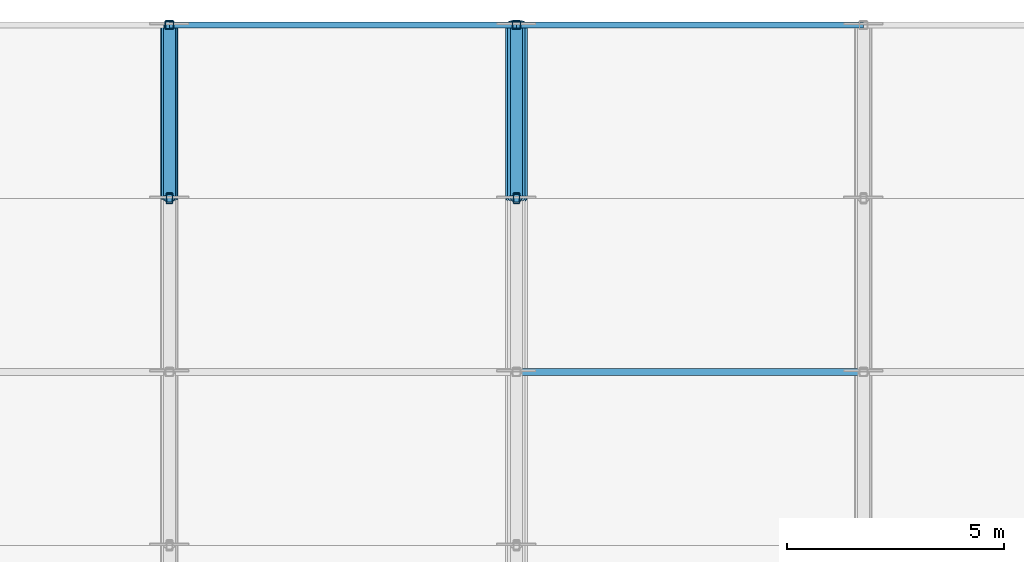
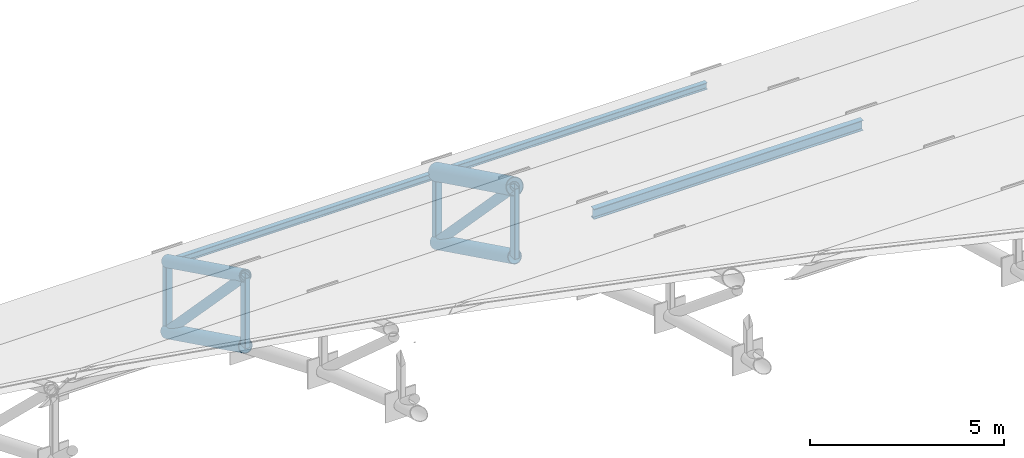
# One storey, part 38 of 98: 13 members.
"""IFC4 building model written with IfcOpenShell, lengths in metres."""

from ifc_helpers import new_model, si_unit, direction, frame, origin, origin_2d, place, context, subcontext, project, spatial, hollow_rectangle, hollow_circle, i_section, extrude, material, material_profile, profile_set, type_object, element, save


model = new_model("IFC4")

# Units and contexts
model_context = context("Model", 3, precision=1e-05, world=origin(), true_north=direction((0.0, 1.0)))
body_context = subcontext(model_context, "Body", "Model", "MODEL_VIEW")
ifc_project = project(units=[si_unit("LENGTHUNIT", "METRE"), si_unit("AREAUNIT", "SQUARE_METRE"), si_unit("VOLUMEUNIT", "CUBIC_METRE"), si_unit("PLANEANGLEUNIT", "RADIAN"), si_unit("MASSUNIT", "GRAM", prefix="KILO")], contexts=[model_context])

# Site, building, storey
site_placement = place(None, origin())
site = spatial("IfcSite", under=ifc_project, at=site_placement, CompositionType="ELEMENT")
building_placement = place(site_placement, origin())
building = spatial("IfcBuilding", under=site, at=building_placement, Name="Tlacozan Convention Centre", CompositionType="ELEMENT")
storey_placement = place(building_placement, frame((0.0, 0.0, 25.800048828125)))
storey = spatial("IfcBuildingStorey", under=building, at=storey_placement, Name="Roof", CompositionType="ELEMENT", Elevation=25.800048828125)

# Members
ifc_material_1 = material(Name="Steel ASTM A500 Grade C", Category="steel")
ifc_material_profile_1 = material_profile(ifc_material_1, hollow_circle(Radius=0.203125, WallThickness=0.015869140625, at=origin_2d()), Name="OC 406.4x15.9")
ifc_profile_set_1 = profile_set([ifc_material_profile_1], Name="Steel ASTM A500 Grade C")
member_type_1 = type_object("IfcMemberType", Name="Arch Bottom Chord OC 406.4x15.9", PredefinedType="CHORD", material=ifc_profile_set_1)
for number, where, z_axis, x_axis, name in (
    (1, (112.0, 122.0, -10.832275390625), (0.0, 0.897300183135, -0.441420866459), (-1.0, 0.0, 0.0), "V2A Roof Truss 15 Bottom Chord 16"),
    (2, (120.0, 122.0, -10.832275390625), (0.0, 0.897300183135, -0.441420866459), (-1.0, 0.0, 0.0), "V2A Roof Truss 16 Bottom Chord 16"),
):
    element("IfcMember", number, at=place(storey_placement, frame(where, z_axis=z_axis, x_axis=x_axis)), inside=storey, type_object=member_type_1, Name=name, PredefinedType="CHORD", context=body_context, shape_type="SweptSolid", body=[
        extrude(hollow_circle(Radius=0.203125, WallThickness=0.015869140625, at=origin_2d()), origin(), (0.0, 0.0, 1.0), 4.457763671875),
    ])
ifc_material_profile_2 = material_profile(ifc_material_1, hollow_circle(Radius=0.25390625, WallThickness=0.01904296875, at=origin_2d()), Name="OC 508.0x19.1")
ifc_profile_set_2 = profile_set([ifc_material_profile_2], Name="Steel ASTM A500 Grade C")
member_type_2 = type_object("IfcMemberType", Name="Arch Top Chord OC 508x19.1", PredefinedType="CHORD", material=ifc_profile_set_2)
member_1_placement = place(storey_placement, frame((120.0, 122.0, -8.63232421875), z_axis=(0.0, 0.897300183135, -0.441420866459), x_axis=(-1.0, 0.0, 0.0)))
element("IfcMember", 3, at=member_1_placement, inside=storey, type_object=member_type_2, Name="V2A Roof Truss 16 Top Chord 16", PredefinedType="CHORD", context=body_context, shape_type="SweptSolid", body=[
    extrude(hollow_circle(Radius=0.25390625, WallThickness=0.01904296875, at=origin_2d()), origin(), (0.0, 0.0, 1.0), 4.457763671875),
])
ifc_material_profile_3 = material_profile(ifc_material_1, hollow_circle(Radius=0.136474609375, WallThickness=0.0126953125, at=origin_2d()), Name="OC 273.1x12.7")
ifc_profile_set_3 = profile_set([ifc_material_profile_3], Name="Steel ASTM A500 Grade C")
member_type_3 = type_object("IfcMemberType", Name="Arch Web Diagonal OC 273.1x12.7", PredefinedType="BRACE", material=ifc_profile_set_3)
for number, where, z_axis, x_axis, name in (
    (4, (112.0, 122.0, -8.63232421875), (0.0, 0.69244032859, -0.721475149497), (-1.0, 0.0, 0.0), "V2A Roof Truss 15 Web Diagonal 16"),
    (5, (120.0, 122.0, -8.63232421875), (0.0, 0.69244032859, -0.721475149497), (-1.0, 0.0, 0.0), "V2A Roof Truss 16 Web Diagonal 16"),
):
    element("IfcMember", number, at=place(storey_placement, frame(where, z_axis=z_axis, x_axis=x_axis)), inside=storey, type_object=member_type_3, Name=name, PredefinedType="BRACE", context=body_context, shape_type="SweptSolid", body=[
        extrude(hollow_circle(Radius=0.136474609375, WallThickness=0.0126953125, at=origin_2d()), origin(), (0.0, 0.0, 1.0), 5.776611328125),
    ])
ifc_material_profile_4 = material_profile(ifc_material_1, hollow_rectangle(XDim=0.203125, YDim=0.203125, WallThickness=0.0126953125, InnerFilletRadius=0.0126953125, OuterFilletRadius=0.02490234375, at=origin_2d()), Name="OR 203x203x12.7")
ifc_profile_set_4 = profile_set([ifc_material_profile_4], Name="Steel ASTM A500 Grade C")
member_type_4 = type_object("IfcMemberType", Name="Arch Web Strut OR 203x203x12.7", PredefinedType="STRUT", material=ifc_profile_set_4)
for number, where, z_axis, x_axis, name in (
    (6, (112.0, 126.0, -12.800048828125), (0.0, 0.0, 1.0), (1.0, 0.0, 0.0), "V2A Roof Truss 15 Vertical Strut 17"),
    (7, (120.0, 126.0, -12.800048828125), (0.0, 0.0, 1.0), (1.0, 0.0, 0.0), "V2A Roof Truss 16 Vertical Strut 17"),
):
    element("IfcMember", number, at=place(storey_placement, frame(where, z_axis=z_axis, x_axis=x_axis)), inside=storey, type_object=member_type_4, Name=name, PredefinedType="STRUT", context=body_context, shape_type="SweptSolid", body=[
        extrude(hollow_rectangle(XDim=0.203125, YDim=0.203125, WallThickness=0.0126953125, InnerFilletRadius=0.0126953125, OuterFilletRadius=0.02490234375, at=origin_2d()), origin(), (0.0, 0.0, 1.0), 2.199951171875),
    ])
ifc_material_2 = material(Name="Steel ASTM A992 Grade 50", Category="steel")
ifc_material_profile_5 = material_profile(ifc_material_2, i_section(OverallWidth=0.1669921875, OverallDepth=0.31689453125, WebThickness=0.007568359375, FlangeThickness=0.01318359375, FilletRadius=0.010009765625, at=origin_2d()), Name="IR 305x52.2")
ifc_profile_set_5 = profile_set([ifc_material_profile_5], Name="Steel ASTM A992 Grade 50")
member_type_5 = type_object("IfcMemberType", Name="Roof Purlin IR 305x52.2", PredefinedType="PURLIN", material=ifc_profile_set_5)
member_2_placement = place(storey_placement, frame((120.0, 118.0, -7.041259765625), z_axis=(1.0, 0.0, 0.0), x_axis=(0.0, 1.0, 0.0)))
element("IfcMember", 8, at=member_2_placement, inside=storey, type_object=member_type_5, Name="V2A Roof Truss Purlin 16.15", PredefinedType="PURLIN", context=body_context, shape_type="SweptSolid", body=[
    extrude(i_section(OverallWidth=0.1669921875, OverallDepth=0.31689453125, WebThickness=0.007568359375, FlangeThickness=0.01318359375, FilletRadius=0.010009765625, at=origin_2d()), origin(), (0.0, 0.0, 1.0), 8.0),
])
ifc_material_profile_6 = material_profile(ifc_material_1, hollow_circle(Radius=0.177734375, WallThickness=0.015869140625, at=origin_2d()), Name="OC 355.6x15.9")
ifc_profile_set_6 = profile_set([ifc_material_profile_6], Name="Steel ASTM A500 Grade C")
member_type_6 = type_object("IfcMemberType", Name="Secondary Arch Chord OC 355.6x15.9", PredefinedType="CHORD", material=ifc_profile_set_6)
member_3_placement = place(storey_placement, frame((112.0, 122.0, -8.63232421875), z_axis=(0.0, 0.897300183135, -0.441420866459), x_axis=(-1.0, 0.0, 0.0)))
element("IfcMember", 9, at=member_3_placement, inside=storey, type_object=member_type_6, Name="V2A Roof Truss 15 Top Chord 16", PredefinedType="CHORD", context=body_context, shape_type="SweptSolid", body=[
    extrude(hollow_circle(Radius=0.177734375, WallThickness=0.015869140625, at=origin_2d()), origin(), (0.0, 0.0, 1.0), 4.457763671875),
])
ifc_material_profile_7 = material_profile(ifc_material_2, i_section(OverallWidth=0.134033203125, OverallDepth=0.2099609375, WebThickness=0.00634765625, FlangeThickness=0.01025390625, FilletRadius=0.008056640625, at=origin_2d()), Name="IR 203x31.3")
ifc_profile_set_7 = profile_set([ifc_material_profile_7], Name="Steel ASTM A992 Grade 50")
member_type_7 = type_object("IfcMemberType", Name="Secondary Eave Purlin IR 203x31.3", PredefinedType="PURLIN", material=ifc_profile_set_7)
for number, where, z_axis, x_axis, name in (
    (10, (112.0, 126.0, -10.6650390625), (1.0, 0.0, 0.0), (0.0, 1.0, 0.0), "V2A Roof Truss Purlin 15.17"),
    (11, (120.0, 126.0, -10.6650390625), (1.0, 0.0, 0.0), (0.0, 1.0, 0.0), "V2A Roof Truss Purlin 16.17"),
):
    element("IfcMember", number, at=place(storey_placement, frame(where, z_axis=z_axis, x_axis=x_axis)), inside=storey, type_object=member_type_7, Name=name, PredefinedType="PURLIN", context=body_context, shape_type="SweptSolid", body=[
        extrude(i_section(OverallWidth=0.134033203125, OverallDepth=0.2099609375, WebThickness=0.00634765625, FlangeThickness=0.01025390625, FilletRadius=0.008056640625, at=origin_2d()), origin(), (0.0, 0.0, 1.0), 8.0),
    ])
ifc_material_profile_8 = material_profile(ifc_material_1, hollow_rectangle(XDim=0.15234375, YDim=0.25390625, WallThickness=0.0126953125, InnerFilletRadius=0.0126953125, OuterFilletRadius=0.02490234375, at=origin_2d()), Name="OR 254x152x12.7")
ifc_profile_set_8 = profile_set([ifc_material_profile_8], Name="Steel ASTM A500 Grade C")
member_type_8 = type_object("IfcMemberType", Name="Truss Secondary Strut OR 254x152x12.7", PredefinedType="STRUT", material=ifc_profile_set_8)
for number, where, z_axis, x_axis, name in (
    (12, (112.0, 122.0, -10.832275390625), (0.0, 0.0, 1.0), (1.0, 0.0, 0.0), "V2A Roof Truss 15 Vertical Strut 16"),
    (13, (120.0, 122.0, -10.832275390625), (0.0, 0.0, 1.0), (1.0, 0.0, 0.0), "V2A Roof Truss 16 Vertical Strut 16"),
):
    element("IfcMember", number, at=place(storey_placement, frame(where, z_axis=z_axis, x_axis=x_axis)), inside=storey, type_object=member_type_8, Name=name, PredefinedType="STRUT", context=body_context, shape_type="SweptSolid", body=[
        extrude(hollow_rectangle(XDim=0.15234375, YDim=0.25390625, WallThickness=0.0126953125, InnerFilletRadius=0.0126953125, OuterFilletRadius=0.02490234375, at=origin_2d()), origin(), (0.0, 0.0, 1.0), 2.199951171875),
    ])

save(model, "model.ifc")
